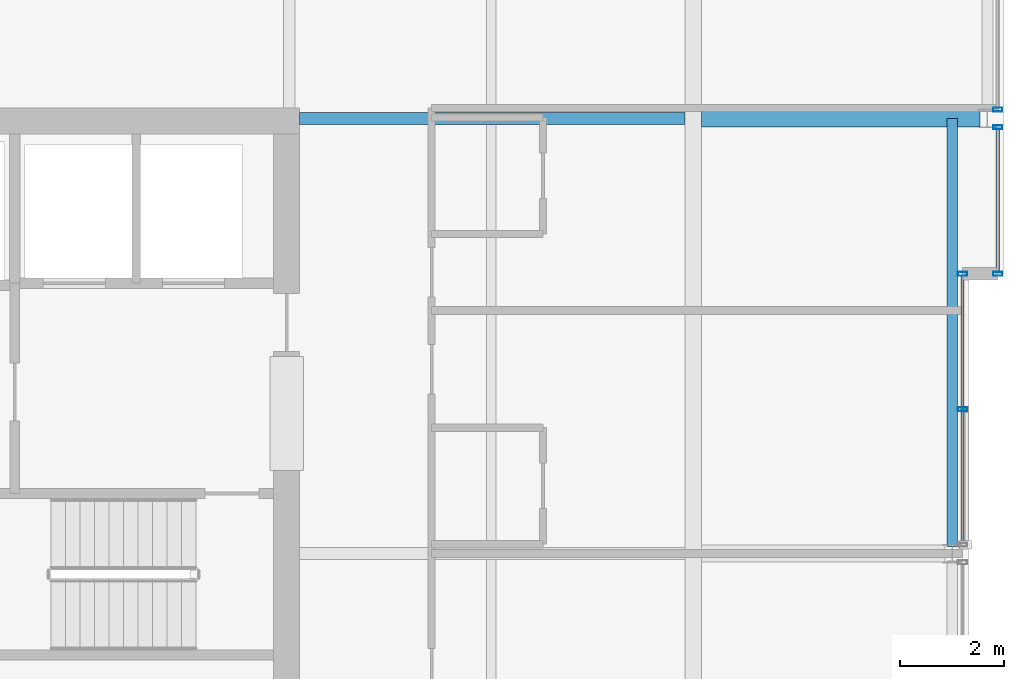
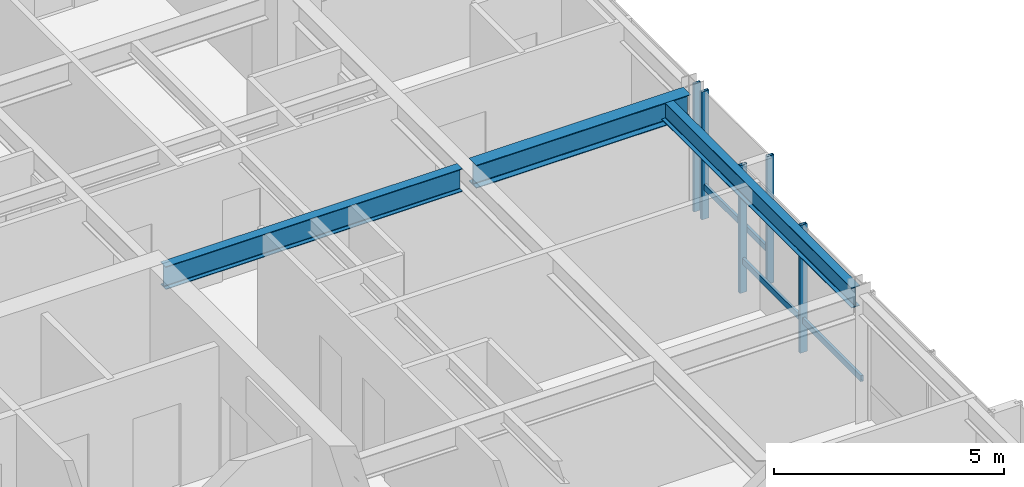
# One storey, part 20 of 34: 7 members, 3 beams, 3 elements without a shape of their own.
"""IFC4 building model written with IfcOpenShell, lengths in metres."""

from ifc_helpers import new_model, si_unit, direction, frame, origin, origin_2d, place, context, subcontext, project, spatial, hollow_rectangle, i_section, extrude, material, layer, layer_set, material_profile, profile_set, type_object, element, aggregate, save


model = new_model("IFC4")

# Units and contexts
model_context = context("Model", 3, precision=1e-05, world=origin(), true_north=direction((0.0, 1.0)))
body_context = subcontext(model_context, "Body", "Model", "MODEL_VIEW")
ifc_project = project(units=[si_unit("LENGTHUNIT", "METRE"), si_unit("AREAUNIT", "SQUARE_METRE"), si_unit("VOLUMEUNIT", "CUBIC_METRE"), si_unit("PLANEANGLEUNIT", "RADIAN"), si_unit("MASSUNIT", "GRAM", prefix="KILO")], contexts=[model_context])

# Site, building, storey
site_placement = place(None, origin())
site = spatial("IfcSite", under=ifc_project, at=site_placement, CompositionType="ELEMENT")
building_placement = place(site_placement, origin())
building = spatial("IfcBuilding", under=site, at=building_placement, Name="Drelvath Grand Hotel", CompositionType="ELEMENT")
storey_placement = place(building_placement, frame((0.0, 0.0, 272.300048828125)))
storey = spatial("IfcBuildingStorey", under=building, at=storey_placement, Name="L71", CompositionType="ELEMENT", Elevation=272.300048828125)

# Curtain wall, member
ifc_material_1 = material(Name="Platinum-Mist Anodised Aluminium Frame", Category="aluminium")
ifc_layer = layer(ifc_material_1, 0.199951171875)
ifc_layer_set = layer_set([ifc_layer], Name="Platinum-Mist Anodised Aluminium Frame")
curtain_wall_type = type_object("IfcCurtainWallType", Name="Stick Curtain Wall CW-05 Platinum Mist High-Rise", PredefinedType="NOTDEFINED", material=ifc_layer_set)
curtain_wall_1_placement = place(storey_placement, origin())
curtain_wall_1 = element("IfcCurtainWall", 1, at=curtain_wall_1_placement, inside=storey, type_object=curtain_wall_type, Name="L71 CW-05 Curtain Wall CW05-L71-EN1", PredefinedType="NOTDEFINED")
ifc_material_profile_1 = material_profile(ifc_material_1, hollow_rectangle(XDim=0.06494140625, YDim=0.159912109375, WallThickness=0.00390625, at=origin_2d()), Name="HSS160X65X4")
ifc_profile_set_1 = profile_set([ifc_material_profile_1], Name="Platinum-Mist Anodised Aluminium Frame")
member_type_1 = type_object("IfcMemberType", Name="Curtain Wall Horizontal Transom CW-05 HSS160X65X4", PredefinedType="USERDEFINED", material=ifc_profile_set_1)
member_1_placement = place(storey_placement, frame((22.080078125, 35.18994140625, 0.847412109375), z_axis=(0.0, -1.0, 0.0), x_axis=(1.0, 0.0, 0.0)))
member_1 = element("IfcMember", 2, at=member_1_placement, type_object=member_type_1, Name="CW05-L71-EN1 Sill Transom", ObjectType="TRANSOM", PredefinedType="USERDEFINED", context=body_context, shape_type="SweptSolid", body=[
    extrude(hollow_rectangle(XDim=0.06494140625, YDim=0.159912109375, WallThickness=0.00390625, at=origin_2d()), origin(), (0.0, 0.0, 1.0), 2.75),
])

curtain_wall_2_placement = place(storey_placement, origin())
curtain_wall_2 = element("IfcCurtainWall", 3, at=curtain_wall_2_placement, inside=storey, type_object=curtain_wall_type, Name="L71 CW-05 Curtain Wall CW05-L71-EM2", PredefinedType="NOTDEFINED")
member_2_placement = place(storey_placement, frame((21.39990234375, 32.360107421875, 0.847412109375), z_axis=(0.0, -1.0, 0.0), x_axis=(1.0, 0.0, 0.0)))
member_2 = element("IfcMember", 4, at=member_2_placement, type_object=member_type_1, Name="CW05-L71-EM2 Sill Transom", ObjectType="TRANSOM", PredefinedType="USERDEFINED", context=body_context, shape_type="SweptSolid", body=[
    extrude(hollow_rectangle(XDim=0.06494140625, YDim=0.159912109375, WallThickness=0.00390625, at=origin_2d()), origin(), (0.0, 0.0, 1.0), 5.150146484375),
])

# Member
ifc_material_profile_2 = material_profile(ifc_material_1, hollow_rectangle(XDim=0.074951171875, YDim=0.179931640625, WallThickness=0.0048828125, at=origin_2d()), Name="HSS180X75X5")
ifc_profile_set_2 = profile_set([ifc_material_profile_2], Name="Platinum-Mist Anodised Aluminium Frame")
member_type_2 = type_object("IfcMemberType", Name="Curtain Wall Vertical Mullion CW-05 HSS180X75X5", PredefinedType="MULLION", material=ifc_profile_set_2)
member_3_placement = place(storey_placement, frame((22.080078125, 35.22998046875, 0.0), z_axis=(0.0, 0.0, 1.0), x_axis=(0.0, 1.0, 0.0)))
member_3 = element("IfcMember", 5, at=member_3_placement, type_object=member_type_2, Name="CW05-L71-EN1 Mullion 1", PredefinedType="MULLION", context=body_context, shape_type="SweptSolid", body=[
    extrude(hollow_rectangle(XDim=0.074951171875, YDim=0.179931640625, WallThickness=0.0048828125, at=origin_2d()), origin(), (0.0, 0.0, 1.0), 3.389892578125),
])

member_4_placement = place(storey_placement, frame((22.080078125, 32.39990234375, 0.0), z_axis=(0.0, 0.0, 1.0), x_axis=(0.0, 1.0, 0.0)))
member_4 = element("IfcMember", 6, at=member_4_placement, type_object=member_type_2, Name="CW05-L71-EN1 Mullion 2", PredefinedType="MULLION", context=body_context, shape_type="SweptSolid", body=[
    extrude(hollow_rectangle(XDim=0.074951171875, YDim=0.179931640625, WallThickness=0.0048828125, at=origin_2d()), origin(), (0.0, 0.0, 1.0), 3.389892578125),
])

aggregate(curtain_wall_1, [member_3, member_4, member_1])

# Curtain wall, member
curtain_wall_3_placement = place(storey_placement, origin())
curtain_wall_3 = element("IfcCurtainWall", 7, at=curtain_wall_3_placement, inside=storey, type_object=curtain_wall_type, Name="L71 CW-05 Curtain Wall CW05-L71-EN2", PredefinedType="NOTDEFINED")
member_5_placement = place(storey_placement, frame((22.080078125, 35.570068359375, 0.0), z_axis=(0.0, 0.0, 1.0), x_axis=(0.0, 1.0, 0.0)))
member_5 = element("IfcMember", 8, at=member_5_placement, type_object=member_type_2, Name="CW05-L71-EN2 Mullion 3", PredefinedType="MULLION", context=body_context, shape_type="SweptSolid", body=[
    extrude(hollow_rectangle(XDim=0.074951171875, YDim=0.179931640625, WallThickness=0.0048828125, at=origin_2d()), origin(), (0.0, 0.0, 1.0), 3.389892578125),
])
aggregate(curtain_wall_3, [member_5])

# Member
member_6_placement = place(storey_placement, frame((21.39990234375, 32.39990234375, 0.0), z_axis=(0.0, 0.0, 1.0), x_axis=(0.0, 1.0, 0.0)))
member_6 = element("IfcMember", 9, at=member_6_placement, type_object=member_type_2, Name="CW05-L71-EM2 Mullion 1", PredefinedType="MULLION", context=body_context, shape_type="SweptSolid", body=[
    extrude(hollow_rectangle(XDim=0.074951171875, YDim=0.179931640625, WallThickness=0.0048828125, at=origin_2d()), origin(), (0.0, 0.0, 1.0), 3.389892578125),
])

member_7_placement = place(storey_placement, frame((21.39990234375, 29.784912109375, 0.0), z_axis=(0.0, 0.0, 1.0), x_axis=(0.0, 1.0, 0.0)))
member_7 = element("IfcMember", 10, at=member_7_placement, type_object=member_type_2, Name="CW05-L71-EM2 Mullion 2", PredefinedType="MULLION", context=body_context, shape_type="SweptSolid", body=[
    extrude(hollow_rectangle(XDim=0.074951171875, YDim=0.179931640625, WallThickness=0.0048828125, at=origin_2d()), origin(), (0.0, 0.0, 1.0), 3.389892578125),
])

aggregate(curtain_wall_2, [member_6, member_7, member_2])

# Beams
ifc_material_2 = material(Name="Steel ASTM A992 Gr 50", Category="steel")
ifc_material_profile_3 = material_profile(ifc_material_2, i_section(OverallWidth=0.210205078125, OverallDepth=0.53662109375, WebThickness=0.010986328125, FlangeThickness=0.017333984375, FilletRadius=0.01806640625, at=origin_2d()), Name="W21X68")
ifc_profile_set_3 = profile_set([ifc_material_profile_3], Name="Steel ASTM A992 Gr 50")
beam_type_1 = type_object("IfcBeamType", Name="Perimeter Spandrel Beam W21X68", PredefinedType="SPANDREL", material=ifc_profile_set_3)
beam_1_placement = place(storey_placement, frame((21.199951171875, 27.139892578125, 3.12158203125), z_axis=(0.0, 1.0, 0.0), x_axis=(-1.0, 0.0, 0.0)))
element("IfcBeam", 11, at=beam_1_placement, inside=storey, type_object=beam_type_1, Name="L71 Spandrel East Mid N", PredefinedType="SPANDREL", context=body_context, shape_type="SweptSolid", body=[
    extrude(i_section(OverallWidth=0.210205078125, OverallDepth=0.53662109375, WebThickness=0.010986328125, FlangeThickness=0.017333984375, FilletRadius=0.01806640625, at=origin_2d()), origin(), (0.0, 0.0, 1.0), 8.260009765625),
])
ifc_material_profile_4 = material_profile(ifc_material_2, i_section(OverallWidth=0.323974609375, OverallDepth=0.611083984375, WebThickness=0.0126953125, FlangeThickness=0.01904296875, FilletRadius=0.02197265625, at=origin_2d()), Name="W24X104")
ifc_profile_set_4 = profile_set([ifc_material_profile_4], Name="Steel ASTM A992 Gr 50")
beam_type_2 = type_object("IfcBeamType", Name="Primary Floor Girder W24X104", PredefinedType="BEAM", material=ifc_profile_set_4)
beam_2_placement = place(storey_placement, frame((16.362060546875, 35.39990234375, 3.08447265625), z_axis=(1.0, 0.0, 0.0), x_axis=(0.0, 1.0, 0.0)))
element("IfcBeam", 12, at=beam_2_placement, inside=storey, type_object=beam_type_2, Name="L71 East Wing Girder F", PredefinedType="BEAM", context=body_context, shape_type="SweptSolid", body=[
    extrude(i_section(OverallWidth=0.323974609375, OverallDepth=0.611083984375, WebThickness=0.0126953125, FlangeThickness=0.01904296875, FilletRadius=0.02197265625, at=origin_2d()), origin(), (0.0, 0.0, 1.0), 5.3779296875),
])
ifc_material_profile_5 = material_profile(ifc_material_2, i_section(OverallWidth=0.228271484375, OverallDepth=0.607666015625, WebThickness=0.01123046875, FlangeThickness=0.017333984375, FilletRadius=0.02001953125, at=origin_2d()), Name="W24X76")
ifc_profile_set_5 = profile_set([ifc_material_profile_5], Name="Steel ASTM A992 Gr 50")
beam_type_3 = type_object("IfcBeamType", Name="Primary Floor Girder W24X76", PredefinedType="BEAM", material=ifc_profile_set_5)
beam_3_placement = place(storey_placement, frame((8.60009765625, 35.39990234375, 3.086181640625), z_axis=(1.0, 0.0, 0.0), x_axis=(0.0, 1.0, 0.0)))
element("IfcBeam", 13, at=beam_3_placement, inside=storey, type_object=beam_type_3, Name="L71 East Core Tie F", PredefinedType="BEAM", context=body_context, shape_type="SweptSolid", body=[
    extrude(i_section(OverallWidth=0.228271484375, OverallDepth=0.607666015625, WebThickness=0.01123046875, FlangeThickness=0.017333984375, FilletRadius=0.02001953125, at=origin_2d()), origin(), (0.0, 0.0, 1.0), 7.43798828125),
])

save(model, "model.ifc")
